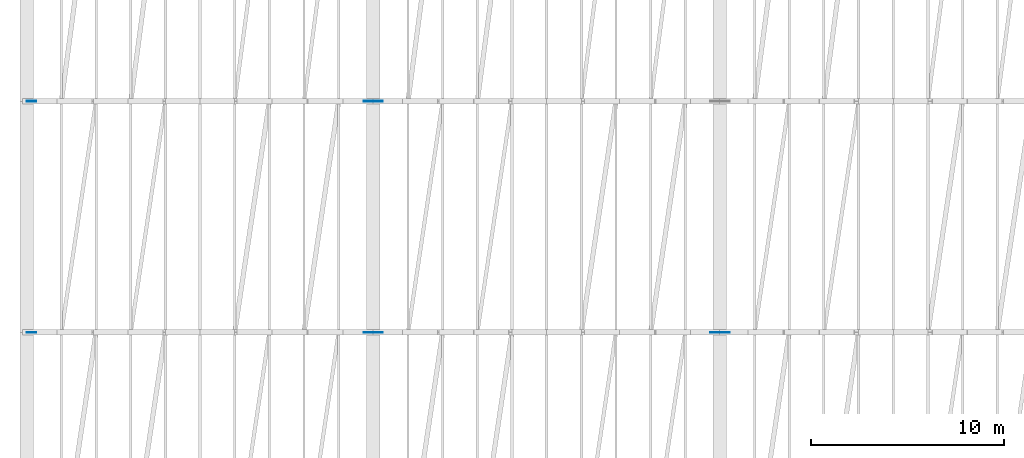
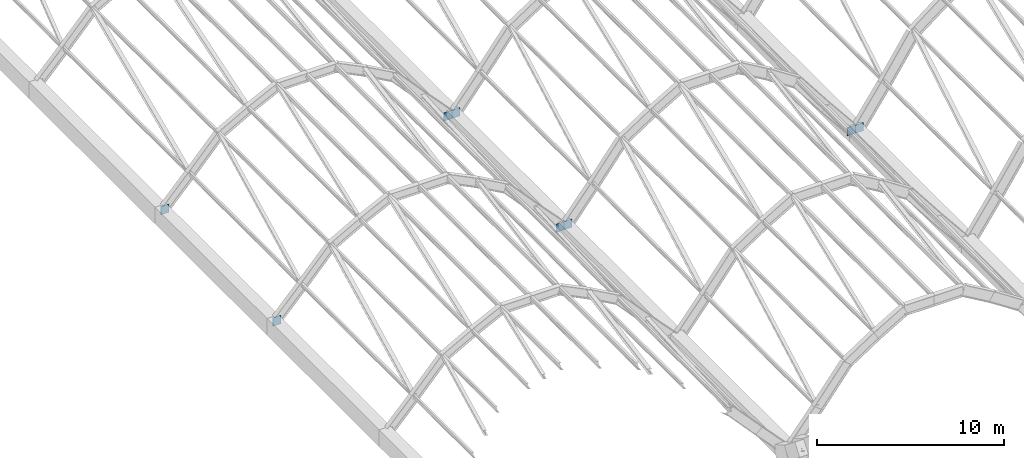
# One storey, part 63 of 86: 8 plates.
"""IFC4 building model written with IfcOpenShell, lengths in metres."""

from ifc_helpers import new_model, si_unit, direction, frame, origin, origin_2d, place, context, subcontext, project, spatial, rectangle, extrude, material, layer, layer_set, type_object, element, save


model = new_model("IFC4")

# Units and contexts
model_context = context("Model", 3, precision=1e-05, world=origin(), true_north=direction((0.0, 1.0)))
body_context = subcontext(model_context, "Body", "Model", "MODEL_VIEW")
ifc_project = project(units=[si_unit("LENGTHUNIT", "METRE"), si_unit("AREAUNIT", "SQUARE_METRE"), si_unit("VOLUMEUNIT", "CUBIC_METRE"), si_unit("PLANEANGLEUNIT", "RADIAN"), si_unit("MASSUNIT", "GRAM", prefix="KILO")], contexts=[model_context])

# Site, building, storey
site_placement = place(None, origin())
site = spatial("IfcSite", under=ifc_project, at=site_placement, CompositionType="ELEMENT")
building_placement = place(site_placement, origin())
building = spatial("IfcBuilding", under=site, at=building_placement, Name="Chuanluo Vaults Station", CompositionType="ELEMENT")
storey_placement = place(building_placement, frame((0.0, 0.0, 14.39990234375)))
storey = spatial("IfcBuildingStorey", under=building, at=storey_placement, Name="L03", CompositionType="ELEMENT", Elevation=14.39990234375)

# Plates
ifc_material = material(Name="Steel Q390C", Category="steel")
ifc_layer = layer(ifc_material, 0.028076171875)
ifc_layer_set = layer_set([ifc_layer], Name="Steel Q390C")
plate_type = type_object("IfcPlateType", Name="PLT-GUS-28", PredefinedType="USERDEFINED", material=ifc_layer_set)
for number, where, z_axis, x_axis, name in (
    (1, (0.25, 42.0, -0.875), (0.0, 0.0, 1.0), (1.0, 0.0, 0.0), "Vault V1 skewback node plate 3-W"),
    (2, (17.75, 42.0, -0.875), (0.0, 0.0, 1.0), (1.0, 0.0, 0.0), "Vault V1 skewback node plate 3-E"),
    (3, (0.25, 54.0, -0.875), (0.0, 0.0, 1.0), (1.0, 0.0, 0.0), "Vault V1 skewback node plate 4-W"),
    (4, (17.75, 54.0, -0.875), (0.0, 0.0, 1.0), (1.0, 0.0, 0.0), "Vault V1 skewback node plate 4-E"),
    (5, (18.25, 42.0, -0.875), (0.0, 0.0, 1.0), (1.0, 0.0, 0.0), "Vault V2 skewback node plate 3-W"),
    (6, (35.75, 42.0, -0.875), (0.0, 0.0, 1.0), (1.0, 0.0, 0.0), "Vault V2 skewback node plate 3-E"),
    (7, (18.25, 54.0, -0.875), (0.0, 0.0, 1.0), (1.0, 0.0, 0.0), "Vault V2 skewback node plate 4-W"),
    (8, (36.25, 42.0, -0.875), (0.0, 0.0, 1.0), (1.0, 0.0, 0.0), "Vault V3 skewback node plate 3-W"),
):
    element("IfcPlate", number, at=place(storey_placement, frame(where, z_axis=z_axis, x_axis=x_axis)), inside=storey, type_object=plate_type, Name=name, ObjectType="GUSSET_PLATE", PredefinedType="USERDEFINED", context=body_context, shape_type="SweptSolid", body=[
        extrude(rectangle(XDim=0.5, YDim=0.028076171875, at=origin_2d()), origin(), (0.0, 0.0, 1.0), 0.550048828125),
    ])

save(model, "model.ifc")
